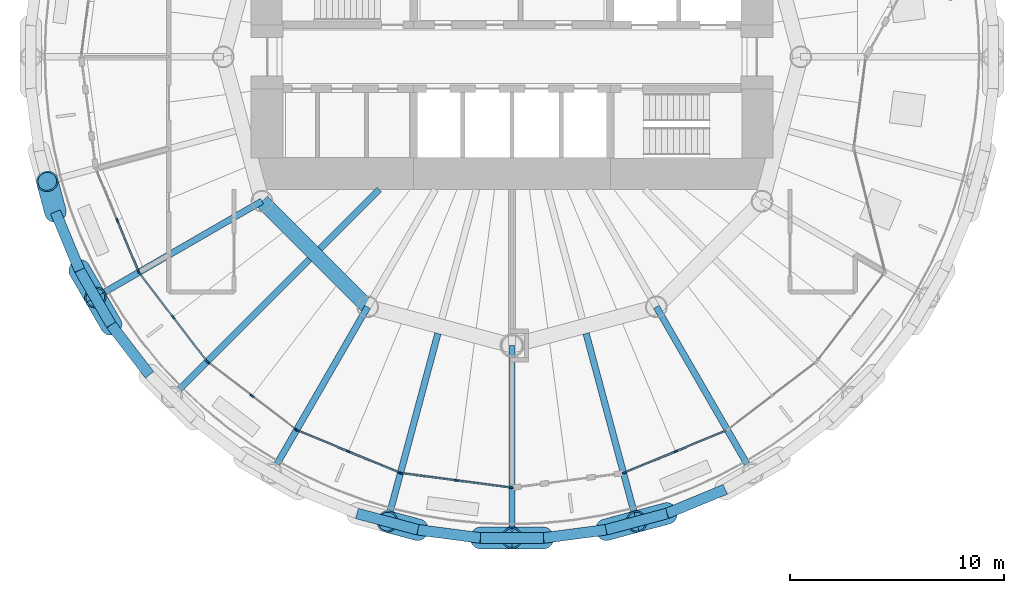
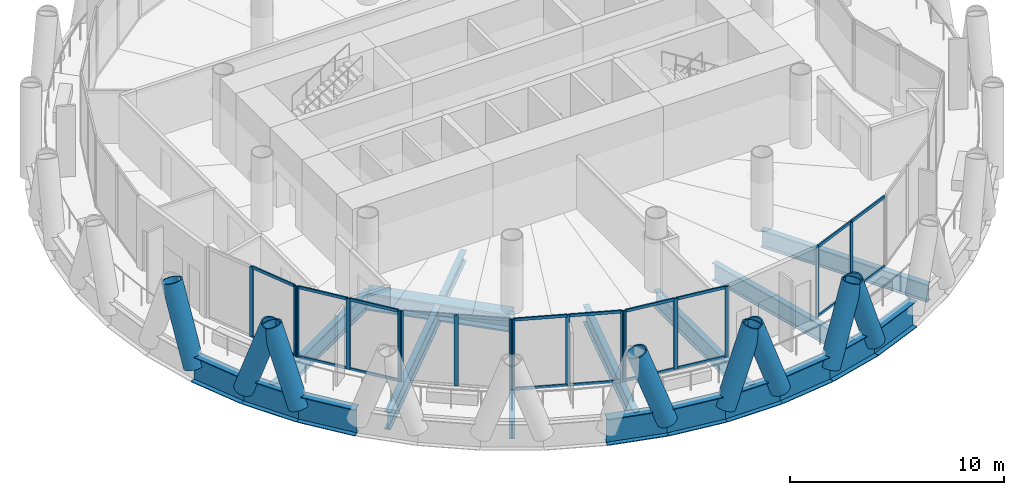
# One storey, part 2 of 13: 42 members, 18 beams, 6 elements without a shape of their own.
"""IFC4 building model written with IfcOpenShell, lengths in metres."""

from ifc_helpers import new_model, si_unit, direction, frame, origin, origin_2d, place, context, subcontext, project, spatial, rectangle, hollow_circle, i_section, extrude, material, material_profile, profile_set, type_object, element, aggregate, save


model = new_model("IFC4")

# Units and contexts
model_context = context("Model", 3, precision=1e-05, world=origin(), true_north=direction((0.0, 1.0)))
body_context = subcontext(model_context, "Body", "Model", "MODEL_VIEW")
ifc_project = project(units=[si_unit("LENGTHUNIT", "METRE"), si_unit("AREAUNIT", "SQUARE_METRE"), si_unit("VOLUMEUNIT", "CUBIC_METRE"), si_unit("PLANEANGLEUNIT", "RADIAN"), si_unit("MASSUNIT", "GRAM", prefix="KILO")], contexts=[model_context])

# Site, building, storey
site_placement = place(None, origin())
site = spatial("IfcSite", under=ifc_project, at=site_placement, CompositionType="ELEMENT")
building_placement = place(site_placement, origin())
building = spatial("IfcBuilding", under=site, at=building_placement, Name="Qaws Media Tower", CompositionType="ELEMENT")
storey_placement = place(building_placement, frame((0.0, 0.0, 223.39990234375)))
storey = spatial("IfcBuildingStorey", under=building, at=storey_placement, Name="L51", CompositionType="ELEMENT", Elevation=223.39990234375)

# Curtain wall, members
ifc_material_1 = material(Name="Aluminium and clear glass", Category="aluminium")
curtain_wall_type = type_object("IfcCurtainWallType", Name="Unitised curtain wall CW-C", PredefinedType="NOTDEFINED", material=ifc_material_1)
curtain_wall_1_placement = place(storey_placement, origin())
curtain_wall_1 = element("IfcCurtainWall", 1, at=curtain_wall_1_placement, inside=storey, type_object=curtain_wall_type, Name="CWC curtain wall L51-14", PredefinedType="NOTDEFINED")
ifc_material_2 = material(Name="Aluminium mullion", Category="aluminium")
ifc_material_profile_1 = material_profile(ifc_material_2, rectangle(XDim=0.080078125, YDim=0.199951171875, at=origin_2d()), Name="80x200")
ifc_profile_set_1 = profile_set([ifc_material_profile_1], Name="Aluminium mullion")
member_type_1 = type_object("IfcMemberType", Name="Curtain wall mullion 80x200", PredefinedType="MULLION", material=ifc_profile_set_1)
member_1_placement = place(storey_placement, frame((41.543212890625, 42.35498046875, 0.0), z_axis=(0.0, 0.0, 1.0), x_axis=(0.92387956031, 0.382683365254, 0.0)))
member_1 = element("IfcMember", 2, at=member_1_placement, type_object=member_type_1, Name="CWC mullion 2", PredefinedType="MULLION", context=body_context, shape_type="SweptSolid", body=[
    extrude(rectangle(XDim=0.080078125, YDim=0.199951171875, at=origin_2d()), origin(), (0.0, 0.0, 1.0), 4.0400390625),
])
member_2_placement = place(storey_placement, frame((42.5341796875, 39.9619140625, 0.0), z_axis=(0.0, 0.0, 1.0), x_axis=(0.92387956031, 0.382683365254, 0.0)))
member_2 = element("IfcMember", 3, at=member_2_placement, type_object=member_type_1, Name="CWC mullion 3", PredefinedType="MULLION", context=body_context, shape_type="SweptSolid", body=[
    extrude(rectangle(XDim=0.080078125, YDim=0.199951171875, at=origin_2d()), origin(), (0.0, 0.0, 1.0), 4.0400390625),
])

curtain_wall_2_placement = place(storey_placement, origin())
curtain_wall_2 = element("IfcCurtainWall", 4, at=curtain_wall_2_placement, inside=storey, type_object=curtain_wall_type, Name="CWC curtain wall L51-15", PredefinedType="NOTDEFINED")
member_3_placement = place(storey_placement, frame((42.573974609375, 39.893310546875, 0.0), z_axis=(0.0, 0.0, 1.0), x_axis=(0.793353388114, 0.608761366685, 0.0)))
member_3 = element("IfcMember", 5, at=member_3_placement, type_object=member_type_1, Name="CWC mullion 1", PredefinedType="MULLION", context=body_context, shape_type="SweptSolid", body=[
    extrude(rectangle(XDim=0.080078125, YDim=0.199951171875, at=origin_2d()), origin(), (0.0, 0.0, 1.0), 4.0400390625),
])
member_4_placement = place(storey_placement, frame((44.150634765625, 37.83837890625, 0.0), z_axis=(0.0, 0.0, 1.0), x_axis=(0.793353388114, 0.608761366685, 0.0)))
member_4 = element("IfcMember", 6, at=member_4_placement, type_object=member_type_1, Name="CWC mullion 2", PredefinedType="MULLION", context=body_context, shape_type="SweptSolid", body=[
    extrude(rectangle(XDim=0.080078125, YDim=0.199951171875, at=origin_2d()), origin(), (0.0, 0.0, 1.0), 4.0400390625),
])
member_5_placement = place(storey_placement, frame((45.7275390625, 35.783447265625, 0.0), z_axis=(0.0, 0.0, 1.0), x_axis=(0.793353388114, 0.608761366685, 0.0)))
member_5 = element("IfcMember", 7, at=member_5_placement, type_object=member_type_1, Name="CWC mullion 3", PredefinedType="MULLION", context=body_context, shape_type="SweptSolid", body=[
    extrude(rectangle(XDim=0.080078125, YDim=0.199951171875, at=origin_2d()), origin(), (0.0, 0.0, 1.0), 4.0400390625),
])

curtain_wall_3_placement = place(storey_placement, origin())
curtain_wall_3 = element("IfcCurtainWall", 8, at=curtain_wall_3_placement, inside=storey, type_object=curtain_wall_type, Name="CWC curtain wall L51-16", PredefinedType="NOTDEFINED")
member_6_placement = place(storey_placement, frame((45.783447265625, 35.7275390625, 0.0), z_axis=(0.0, 0.0, 1.0), x_axis=(0.608761366685, 0.793353388114, 0.0)))
member_6 = element("IfcMember", 9, at=member_6_placement, type_object=member_type_1, Name="CWC mullion 1", PredefinedType="MULLION", context=body_context, shape_type="SweptSolid", body=[
    extrude(rectangle(XDim=0.080078125, YDim=0.199951171875, at=origin_2d()), origin(), (0.0, 0.0, 1.0), 4.0400390625),
])
member_7_placement = place(storey_placement, frame((47.83837890625, 34.150634765625, 0.0), z_axis=(0.0, 0.0, 1.0), x_axis=(0.608761366685, 0.793353388114, 0.0)))
member_7 = element("IfcMember", 10, at=member_7_placement, type_object=member_type_1, Name="CWC mullion 2", PredefinedType="MULLION", context=body_context, shape_type="SweptSolid", body=[
    extrude(rectangle(XDim=0.080078125, YDim=0.199951171875, at=origin_2d()), origin(), (0.0, 0.0, 1.0), 4.0400390625),
])
member_8_placement = place(storey_placement, frame((49.893310546875, 32.573974609375, 0.0), z_axis=(0.0, 0.0, 1.0), x_axis=(0.608761366685, 0.793353388114, 0.0)))
member_8 = element("IfcMember", 11, at=member_8_placement, type_object=member_type_1, Name="CWC mullion 3", PredefinedType="MULLION", context=body_context, shape_type="SweptSolid", body=[
    extrude(rectangle(XDim=0.080078125, YDim=0.199951171875, at=origin_2d()), origin(), (0.0, 0.0, 1.0), 4.0400390625),
])
aggregate(curtain_wall_3, [member_6, member_7, member_8])

curtain_wall_4_placement = place(storey_placement, origin())
curtain_wall_4 = element("IfcCurtainWall", 12, at=curtain_wall_4_placement, inside=storey, type_object=curtain_wall_type, Name="CWC curtain wall L51-17", PredefinedType="NOTDEFINED")
member_9_placement = place(storey_placement, frame((49.9619140625, 32.5341796875, 0.0), z_axis=(0.0, 0.0, 1.0), x_axis=(0.382683365254, 0.92387956031, 0.0)))
member_9 = element("IfcMember", 13, at=member_9_placement, type_object=member_type_1, Name="CWC mullion 1", PredefinedType="MULLION", context=body_context, shape_type="SweptSolid", body=[
    extrude(rectangle(XDim=0.080078125, YDim=0.199951171875, at=origin_2d()), origin(), (0.0, 0.0, 1.0), 4.0400390625),
])
member_10_placement = place(storey_placement, frame((52.35498046875, 31.543212890625, 0.0), z_axis=(0.0, 0.0, 1.0), x_axis=(0.382683365254, 0.92387956031, 0.0)))
member_10 = element("IfcMember", 14, at=member_10_placement, type_object=member_type_1, Name="CWC mullion 2", PredefinedType="MULLION", context=body_context, shape_type="SweptSolid", body=[
    extrude(rectangle(XDim=0.080078125, YDim=0.199951171875, at=origin_2d()), origin(), (0.0, 0.0, 1.0), 4.0400390625),
])
member_11_placement = place(storey_placement, frame((54.747802734375, 30.552001953125, 0.0), z_axis=(0.0, 0.0, 1.0), x_axis=(0.382683365254, 0.92387956031, 0.0)))
member_11 = element("IfcMember", 15, at=member_11_placement, type_object=member_type_1, Name="CWC mullion 3", PredefinedType="MULLION", context=body_context, shape_type="SweptSolid", body=[
    extrude(rectangle(XDim=0.080078125, YDim=0.199951171875, at=origin_2d()), origin(), (0.0, 0.0, 1.0), 4.0400390625),
])

curtain_wall_5_placement = place(storey_placement, origin())
curtain_wall_5 = element("IfcCurtainWall", 16, at=curtain_wall_5_placement, inside=storey, type_object=curtain_wall_type, Name="CWC curtain wall L51-18", PredefinedType="NOTDEFINED")
member_12_placement = place(storey_placement, frame((54.824462890625, 30.531494140625, 0.0), z_axis=(0.0, 0.0, 1.0), x_axis=(0.130526260986, 0.991444852321, 0.0)))
member_12 = element("IfcMember", 17, at=member_12_placement, type_object=member_type_1, Name="CWC mullion 1", PredefinedType="MULLION", context=body_context, shape_type="SweptSolid", body=[
    extrude(rectangle(XDim=0.080078125, YDim=0.199951171875, at=origin_2d()), origin(), (0.0, 0.0, 1.0), 4.0400390625),
])
member_13_placement = place(storey_placement, frame((57.392333984375, 30.193359375, 0.0), z_axis=(0.0, 0.0, 1.0), x_axis=(0.130526260986, 0.991444852321, 0.0)))
member_13 = element("IfcMember", 18, at=member_13_placement, type_object=member_type_1, Name="CWC mullion 2", PredefinedType="MULLION", context=body_context, shape_type="SweptSolid", body=[
    extrude(rectangle(XDim=0.080078125, YDim=0.199951171875, at=origin_2d()), origin(), (0.0, 0.0, 1.0), 4.0400390625),
])
member_14_placement = place(storey_placement, frame((59.96044921875, 29.855224609375, 0.0), z_axis=(0.0, 0.0, 1.0), x_axis=(0.130526260986, 0.991444852321, 0.0)))
member_14 = element("IfcMember", 19, at=member_14_placement, type_object=member_type_1, Name="CWC mullion 3", PredefinedType="MULLION", context=body_context, shape_type="SweptSolid", body=[
    extrude(rectangle(XDim=0.080078125, YDim=0.199951171875, at=origin_2d()), origin(), (0.0, 0.0, 1.0), 4.0400390625),
])

curtain_wall_6_placement = place(storey_placement, origin())
curtain_wall_6 = element("IfcCurtainWall", 20, at=curtain_wall_6_placement, inside=storey, type_object=curtain_wall_type, Name="CWC curtain wall L51-20", PredefinedType="NOTDEFINED")
member_15_placement = place(storey_placement, frame((65.252197265625, 30.552001953125, 0.0), z_axis=(0.0, 0.0, 1.0), x_axis=(-0.382683365254, 0.92387956031, 0.0)))
member_15 = element("IfcMember", 21, at=member_15_placement, type_object=member_type_1, Name="CWC mullion 1", PredefinedType="MULLION", context=body_context, shape_type="SweptSolid", body=[
    extrude(rectangle(XDim=0.080078125, YDim=0.199951171875, at=origin_2d()), origin(), (0.0, 0.0, 1.0), 4.0400390625),
])
member_16_placement = place(storey_placement, frame((67.64501953125, 31.543212890625, 0.0), z_axis=(0.0, 0.0, 1.0), x_axis=(-0.382683365254, 0.92387956031, 0.0)))
member_16 = element("IfcMember", 22, at=member_16_placement, type_object=member_type_1, Name="CWC mullion 2", PredefinedType="MULLION", context=body_context, shape_type="SweptSolid", body=[
    extrude(rectangle(XDim=0.080078125, YDim=0.199951171875, at=origin_2d()), origin(), (0.0, 0.0, 1.0), 4.0400390625),
])

# Member
ifc_material_3 = material(Name="Aluminium transom", Category="aluminium")
ifc_material_profile_2 = material_profile(ifc_material_3, rectangle(XDim=0.080078125, YDim=0.159912109375, at=origin_2d()), Name="80x160")
ifc_profile_set_2 = profile_set([ifc_material_profile_2], Name="Aluminium transom")
member_type_2 = type_object("IfcMemberType", Name="Curtain wall transom 80x160", PredefinedType="USERDEFINED", material=ifc_profile_set_2)
member_17_placement = place(storey_placement, frame((41.558349609375, 42.31787109375, 0.0400390625), z_axis=(0.382749815673, -0.92385203285, 0.0), x_axis=(0.92385203285, 0.382749815673, 0.0)))
member_17 = element("IfcMember", 23, at=member_17_placement, type_object=member_type_2, Name="CWC transom 2.1", ObjectType="TRANSOM", PredefinedType="USERDEFINED", context=body_context, shape_type="SweptSolid", body=[
    extrude(rectangle(XDim=0.080078125, YDim=0.159912109375, at=origin_2d()), origin(), (0.0, 0.0, 1.0), 2.510009765625),
])

member_18_placement = place(storey_placement, frame((41.558349609375, 42.31787109375, 4.0), z_axis=(0.382749815673, -0.92385203285, 0.0), x_axis=(0.92385203285, 0.382749815673, 0.0)))
member_18 = element("IfcMember", 24, at=member_18_placement, type_object=member_type_2, Name="CWC transom 2.2", ObjectType="TRANSOM", PredefinedType="USERDEFINED", context=body_context, shape_type="SweptSolid", body=[
    extrude(rectangle(XDim=0.080078125, YDim=0.159912109375, at=origin_2d()), origin(), (0.0, 0.0, 1.0), 2.510009765625),
])

aggregate(curtain_wall_1, [member_1, member_2, member_17, member_18])

member_19_placement = place(storey_placement, frame((42.598388671875, 39.861572265625, 0.0400390625), z_axis=(0.608694926571, -0.793404364979, 0.0), x_axis=(0.793404364979, 0.608694926571, 0.0)))
member_19 = element("IfcMember", 25, at=member_19_placement, type_object=member_type_2, Name="CWC transom 1.1", ObjectType="TRANSOM", PredefinedType="USERDEFINED", context=body_context, shape_type="SweptSolid", body=[
    extrude(rectangle(XDim=0.080078125, YDim=0.159912109375, at=origin_2d()), origin(), (0.0, 0.0, 1.0), 2.510009765625),
])

member_20_placement = place(storey_placement, frame((42.598388671875, 39.861572265625, 4.0), z_axis=(0.608694926571, -0.793404364979, 0.0), x_axis=(0.793404364979, 0.608694926571, 0.0)))
member_20 = element("IfcMember", 26, at=member_20_placement, type_object=member_type_2, Name="CWC transom 1.2", ObjectType="TRANSOM", PredefinedType="USERDEFINED", context=body_context, shape_type="SweptSolid", body=[
    extrude(rectangle(XDim=0.080078125, YDim=0.159912109375, at=origin_2d()), origin(), (0.0, 0.0, 1.0), 2.510009765625),
])

member_21_placement = place(storey_placement, frame((44.175048828125, 37.806640625, 0.0400390625), z_axis=(0.608756149587, -0.793357391306, 0.0), x_axis=(0.793357391306, 0.608756149587, 0.0)))
member_21 = element("IfcMember", 27, at=member_21_placement, type_object=member_type_2, Name="CWC transom 2.1", ObjectType="TRANSOM", PredefinedType="USERDEFINED", context=body_context, shape_type="SweptSolid", body=[
    extrude(rectangle(XDim=0.080078125, YDim=0.159912109375, at=origin_2d()), origin(), (0.0, 0.0, 1.0), 2.51025390625),
])

member_22_placement = place(storey_placement, frame((44.175048828125, 37.806640625, 4.0), z_axis=(0.608756149587, -0.793357391306, 0.0), x_axis=(0.793357391306, 0.608756149587, 0.0)))
member_22 = element("IfcMember", 28, at=member_22_placement, type_object=member_type_2, Name="CWC transom 2.2", ObjectType="TRANSOM", PredefinedType="USERDEFINED", context=body_context, shape_type="SweptSolid", body=[
    extrude(rectangle(XDim=0.080078125, YDim=0.159912109375, at=origin_2d()), origin(), (0.0, 0.0, 1.0), 2.51025390625),
])

aggregate(curtain_wall_2, [member_3, member_4, member_5, member_19, member_20, member_21, member_22])

member_23_placement = place(storey_placement, frame((49.9990234375, 32.51904296875, 0.0400390625), z_axis=(0.92385203285, -0.382749815673, 0.0), x_axis=(0.382749815673, 0.92385203285, 0.0)))
member_23 = element("IfcMember", 29, at=member_23_placement, type_object=member_type_2, Name="CWC transom 1.1", ObjectType="TRANSOM", PredefinedType="USERDEFINED", context=body_context, shape_type="SweptSolid", body=[
    extrude(rectangle(XDim=0.080078125, YDim=0.159912109375, at=origin_2d()), origin(), (0.0, 0.0, 1.0), 2.510009765625),
])

member_24_placement = place(storey_placement, frame((49.9990234375, 32.51904296875, 4.0), z_axis=(0.92385203285, -0.382749815673, 0.0), x_axis=(0.382749815673, 0.92385203285, 0.0)))
member_24 = element("IfcMember", 30, at=member_24_placement, type_object=member_type_2, Name="CWC transom 1.2", ObjectType="TRANSOM", PredefinedType="USERDEFINED", context=body_context, shape_type="SweptSolid", body=[
    extrude(rectangle(XDim=0.080078125, YDim=0.159912109375, at=origin_2d()), origin(), (0.0, 0.0, 1.0), 2.510009765625),
])

member_25_placement = place(storey_placement, frame((52.391845703125, 31.52783203125, 0.0400390625), z_axis=(0.92386628045, -0.382715424105, 0.0), x_axis=(0.382715424105, 0.92386628045, 0.0)))
member_25 = element("IfcMember", 31, at=member_25_placement, type_object=member_type_2, Name="CWC transom 2.1", ObjectType="TRANSOM", PredefinedType="USERDEFINED", context=body_context, shape_type="SweptSolid", body=[
    extrude(rectangle(XDim=0.080078125, YDim=0.159912109375, at=origin_2d()), origin(), (0.0, 0.0, 1.0), 2.51025390625),
])

member_26_placement = place(storey_placement, frame((52.391845703125, 31.52783203125, 4.0), z_axis=(0.92386628045, -0.382715424105, 0.0), x_axis=(0.382715424105, 0.92386628045, 0.0)))
member_26 = element("IfcMember", 32, at=member_26_placement, type_object=member_type_2, Name="CWC transom 2.2", ObjectType="TRANSOM", PredefinedType="USERDEFINED", context=body_context, shape_type="SweptSolid", body=[
    extrude(rectangle(XDim=0.080078125, YDim=0.159912109375, at=origin_2d()), origin(), (0.0, 0.0, 1.0), 2.51025390625),
])

aggregate(curtain_wall_4, [member_9, member_10, member_11, member_23, member_24, member_25, member_26])

member_27_placement = place(storey_placement, frame((54.864013671875, 30.526123046875, 0.0400390625), z_axis=(0.991445686503, -0.130519924592, 0.0), x_axis=(0.130519924592, 0.991445686503, 0.0)))
member_27 = element("IfcMember", 33, at=member_27_placement, type_object=member_type_2, Name="CWC transom 1.1", ObjectType="TRANSOM", PredefinedType="USERDEFINED", context=body_context, shape_type="SweptSolid", body=[
    extrude(rectangle(XDim=0.080078125, YDim=0.159912109375, at=origin_2d()), origin(), (0.0, 0.0, 1.0), 2.51025390625),
])

member_28_placement = place(storey_placement, frame((54.864013671875, 30.526123046875, 4.0), z_axis=(0.991445686503, -0.130519924592, 0.0), x_axis=(0.130519924592, 0.991445686503, 0.0)))
member_28 = element("IfcMember", 34, at=member_28_placement, type_object=member_type_2, Name="CWC transom 1.2", ObjectType="TRANSOM", PredefinedType="USERDEFINED", context=body_context, shape_type="SweptSolid", body=[
    extrude(rectangle(XDim=0.080078125, YDim=0.159912109375, at=origin_2d()), origin(), (0.0, 0.0, 1.0), 2.51025390625),
])

member_29_placement = place(storey_placement, frame((57.43212890625, 30.18798828125, 0.0400390625), z_axis=(0.991444029433, -0.130532511282, 0.0), x_axis=(0.130532511282, 0.991444029433, 0.0)))
member_29 = element("IfcMember", 35, at=member_29_placement, type_object=member_type_2, Name="CWC transom 2.1", ObjectType="TRANSOM", PredefinedType="USERDEFINED", context=body_context, shape_type="SweptSolid", body=[
    extrude(rectangle(XDim=0.080078125, YDim=0.159912109375, at=origin_2d()), origin(), (0.0, 0.0, 1.0), 2.510009765625),
])

member_30_placement = place(storey_placement, frame((57.43212890625, 30.18798828125, 4.0), z_axis=(0.991444029433, -0.130532511282, 0.0), x_axis=(0.130532511282, 0.991444029433, 0.0)))
member_30 = element("IfcMember", 36, at=member_30_placement, type_object=member_type_2, Name="CWC transom 2.2", ObjectType="TRANSOM", PredefinedType="USERDEFINED", context=body_context, shape_type="SweptSolid", body=[
    extrude(rectangle(XDim=0.080078125, YDim=0.159912109375, at=origin_2d()), origin(), (0.0, 0.0, 1.0), 2.510009765625),
])

aggregate(curtain_wall_5, [member_12, member_13, member_14, member_27, member_28, member_29, member_30])

member_31_placement = place(storey_placement, frame((65.2890625, 30.567138671875, 0.0400390625), z_axis=(0.92386628045, 0.382715424105, 0.0), x_axis=(-0.382715424105, 0.92386628045, 0.0)))
member_31 = element("IfcMember", 37, at=member_31_placement, type_object=member_type_2, Name="CWC transom 1.1", ObjectType="TRANSOM", PredefinedType="USERDEFINED", context=body_context, shape_type="SweptSolid", body=[
    extrude(rectangle(XDim=0.080078125, YDim=0.159912109375, at=origin_2d()), origin(), (0.0, 0.0, 1.0), 2.51025390625),
])

member_32_placement = place(storey_placement, frame((65.2890625, 30.567138671875, 4.0), z_axis=(0.92386628045, 0.382715424105, 0.0), x_axis=(-0.382715424105, 0.92386628045, 0.0)))
member_32 = element("IfcMember", 38, at=member_32_placement, type_object=member_type_2, Name="CWC transom 1.2", ObjectType="TRANSOM", PredefinedType="USERDEFINED", context=body_context, shape_type="SweptSolid", body=[
    extrude(rectangle(XDim=0.080078125, YDim=0.159912109375, at=origin_2d()), origin(), (0.0, 0.0, 1.0), 2.51025390625),
])

member_33_placement = place(storey_placement, frame((67.68212890625, 31.558349609375, 0.0400390625), z_axis=(0.92385203285, 0.382749815673, 0.0), x_axis=(-0.382749815673, 0.92385203285, 0.0)))
member_33 = element("IfcMember", 39, at=member_33_placement, type_object=member_type_2, Name="CWC transom 2.1", ObjectType="TRANSOM", PredefinedType="USERDEFINED", context=body_context, shape_type="SweptSolid", body=[
    extrude(rectangle(XDim=0.080078125, YDim=0.159912109375, at=origin_2d()), origin(), (0.0, 0.0, 1.0), 2.510009765625),
])

member_34_placement = place(storey_placement, frame((67.68212890625, 31.558349609375, 4.0), z_axis=(0.92385203285, 0.382749815673, 0.0), x_axis=(-0.382749815673, 0.92385203285, 0.0)))
member_34 = element("IfcMember", 40, at=member_34_placement, type_object=member_type_2, Name="CWC transom 2.2", ObjectType="TRANSOM", PredefinedType="USERDEFINED", context=body_context, shape_type="SweptSolid", body=[
    extrude(rectangle(XDim=0.080078125, YDim=0.159912109375, at=origin_2d()), origin(), (0.0, 0.0, 1.0), 2.510009765625),
])

aggregate(curtain_wall_6, [member_15, member_16, member_31, member_32, member_33, member_34])

# Members
ifc_material_4 = material(Name="Steel S460", Category="steel")
ifc_material_profile_3 = material_profile(ifc_material_4, hollow_circle(Radius=0.508056640625, WallThickness=0.070068359375, at=origin_2d()), Name="CHS 1016x70")
ifc_profile_set_3 = profile_set([ifc_material_profile_3], Name="Steel S460")
member_type_3 = type_object("IfcMemberType", Name="Diagrid member CHS 1016x70", PredefinedType="USERDEFINED", material=ifc_profile_set_3)
for number, where, z_axis, x_axis, name in (
    (41, (39.775634765625, 40.0263671875, -0.909912109375), (0.165965415689, -0.286737340788, 0.943523809023), (0.865479173236, 0.500944907845, 0.0), "DG3 diagrid L51 A14"),
    (42, (38.646728515625, 42.75146484375, -0.909912109375), (-0.085395161557, 0.320135875408, 0.943515070181), (-0.966215704868, -0.257734769998, 0.0), "DG3 diagrid L51 B14"),
    (43, (41.250244140625, 37.471923828125, -0.909912109375), (-0.16530706885, 0.287120937435, 0.943522729072), (-0.866628964438, -0.498953142085, 0.0), "DG3 diagrid L51 B15"),
    (44, (58.525146484375, 27.498291015625, -0.909912109375), (0.331324993668, 0.000383922357, 0.943516614149), (-0.001158747774, 0.999999328652, 0.0), "DG3 diagrid L51 A18"),
    (45, (55.600830078125, 27.88330078125, -0.909912109375), (-0.319968624274, 0.086107428884, 0.943507069487), (-0.25986662575, -0.965644518869, 0.0), "DG3 diagrid L51 B18"),
    (46, (64.399169921875, 27.88330078125, -0.909912109375), (0.319968624274, 0.086107428884, 0.943507069487), (-0.25986662575, 0.965644518869, 0.0), "DG3 diagrid L51 A19"),
    (47, (61.474853515625, 27.498291015625, -0.909912109375), (-0.331324993668, 0.000383922357, 0.943516614149), (-0.001158747774, -0.999999328652, 0.0), "DG3 diagrid L51 B19"),
    (48, (67.24853515625, 28.646728515625, -0.909912109375), (-0.320135875408, -0.085395161557, 0.943515070181), (0.257734769998, -0.966215704868, 0.0), "DG3 diagrid L51 B20"),
):
    element("IfcMember", number, at=place(storey_placement, frame(where, z_axis=z_axis, x_axis=x_axis)), inside=storey, type_object=member_type_3, Name=name, ObjectType="DIAGRID", PredefinedType="USERDEFINED", context=body_context, shape_type="SweptSolid", body=[
        extrude(hollow_circle(Radius=0.508056640625, WallThickness=0.070068359375, at=origin_2d()), origin(), (0.0, 0.0, 1.0), 4.451416015625),
    ])

# Beams
ifc_material_5 = material(Name="Steel S460", Category="steel")
ifc_material_profile_4 = material_profile(ifc_material_5, i_section(OverallWidth=0.5, OverallDepth=1.5, WebThickness=0.02001953125, FlangeThickness=0.0400390625, at=origin_2d()), Name="PG 1500x500")
ifc_profile_set_4 = profile_set([ifc_material_profile_4], Name="Steel S460")
beam_type_1 = type_object("IfcBeamType", Name="Edge ring beam PG 1500x500", PredefinedType="BEAM", material=ifc_profile_set_4)
beam_1_placement = place(storey_placement, frame((38.646728515625, 42.75146484375, -0.909912109375), z_axis=(0.382722162146, -0.92386348916, 0.0), x_axis=(0.92386348916, 0.382722162146, 0.0)))
element("IfcBeam", 49, at=beam_1_placement, inside=storey, type_object=beam_type_1, Name="RB4 edge ring beam L51-27", PredefinedType="BEAM", context=body_context, shape_type="SweptSolid", body=[
    extrude(i_section(OverallWidth=0.5, OverallDepth=1.5, WebThickness=0.02001953125, FlangeThickness=0.0400390625, at=origin_2d()), origin(), (0.0, 0.0, 1.0), 2.94970703125),
])
beam_2_placement = place(storey_placement, frame((39.775634765625, 40.0263671875, -0.909912109375), z_axis=(0.499949350311, -0.866054644421, 0.0), x_axis=(0.866054644421, 0.499949350311, 0.0)))
element("IfcBeam", 50, at=beam_2_placement, inside=storey, type_object=beam_type_1, Name="RB4 edge ring beam L51-28", PredefinedType="BEAM", context=body_context, shape_type="SweptSolid", body=[
    extrude(i_section(OverallWidth=0.5, OverallDepth=1.5, WebThickness=0.02001953125, FlangeThickness=0.0400390625, at=origin_2d()), origin(), (0.0, 0.0, 1.0), 2.949462890625),
])
beam_3_placement = place(storey_placement, frame((41.250244140625, 37.471923828125, -0.909912109375), z_axis=(0.608770328015, -0.793346511764, 0.0), x_axis=(0.793346511764, 0.608770328015, 0.0)))
element("IfcBeam", 51, at=beam_3_placement, inside=storey, type_object=beam_type_1, Name="RB4 edge ring beam L51-29", PredefinedType="BEAM", context=body_context, shape_type="SweptSolid", body=[
    extrude(i_section(OverallWidth=0.5, OverallDepth=1.5, WebThickness=0.02001953125, FlangeThickness=0.0400390625, at=origin_2d()), origin(), (0.0, 0.0, 1.0), 2.94970703125),
])
beam_4_placement = place(storey_placement, frame((52.75146484375, 28.646728515625, -0.909912109375), z_axis=(0.965930688978, -0.258800896618, 0.0), x_axis=(0.258800896618, 0.965930688978, 0.0)))
element("IfcBeam", 52, at=beam_4_placement, inside=storey, type_object=beam_type_1, Name="RB4 edge ring beam L51-34", PredefinedType="BEAM", context=body_context, shape_type="SweptSolid", body=[
    extrude(i_section(OverallWidth=0.5, OverallDepth=1.5, WebThickness=0.02001953125, FlangeThickness=0.0400390625, at=origin_2d()), origin(), (0.0, 0.0, 1.0), 2.949951171875),
])
beam_5_placement = place(storey_placement, frame((55.600830078125, 27.88330078125, -0.909912109375), z_axis=(0.991444150288, -0.130531593338, 0.0), x_axis=(0.130531593338, 0.991444150288, 0.0)))
element("IfcBeam", 53, at=beam_5_placement, inside=storey, type_object=beam_type_1, Name="RB4 edge ring beam L51-35", PredefinedType="BEAM", context=body_context, shape_type="SweptSolid", body=[
    extrude(i_section(OverallWidth=0.5, OverallDepth=1.5, WebThickness=0.02001953125, FlangeThickness=0.0400390625, at=origin_2d()), origin(), (0.0, 0.0, 1.0), 2.949462890625),
])
beam_6_placement = place(storey_placement, frame((58.525146484375, 27.498291015625, -0.909912109375), z_axis=(1.0, 0.0, 0.0), x_axis=(0.0, 1.0, 0.0)))
element("IfcBeam", 54, at=beam_6_placement, inside=storey, type_object=beam_type_1, Name="RB4 edge ring beam L51-36", PredefinedType="BEAM", context=body_context, shape_type="SweptSolid", body=[
    extrude(i_section(OverallWidth=0.5, OverallDepth=1.5, WebThickness=0.02001953125, FlangeThickness=0.0400390625, at=origin_2d()), origin(), (0.0, 0.0, 1.0), 2.94970703125),
])
beam_7_placement = place(storey_placement, frame((61.474853515625, 27.498291015625, -0.909912109375), z_axis=(0.991444150288, 0.130531593338, 0.0), x_axis=(-0.130531593338, 0.991444150288, 0.0)))
element("IfcBeam", 55, at=beam_7_placement, inside=storey, type_object=beam_type_1, Name="RB4 edge ring beam L51-37", PredefinedType="BEAM", context=body_context, shape_type="SweptSolid", body=[
    extrude(i_section(OverallWidth=0.5, OverallDepth=1.5, WebThickness=0.02001953125, FlangeThickness=0.0400390625, at=origin_2d()), origin(), (0.0, 0.0, 1.0), 2.949462890625),
])
beam_8_placement = place(storey_placement, frame((64.399169921875, 27.88330078125, -0.909912109375), z_axis=(0.965930688978, 0.258800896618, 0.0), x_axis=(-0.258800896618, 0.965930688978, 0.0)))
element("IfcBeam", 56, at=beam_8_placement, inside=storey, type_object=beam_type_1, Name="RB4 edge ring beam L51-38", PredefinedType="BEAM", context=body_context, shape_type="SweptSolid", body=[
    extrude(i_section(OverallWidth=0.5, OverallDepth=1.5, WebThickness=0.02001953125, FlangeThickness=0.0400390625, at=origin_2d()), origin(), (0.0, 0.0, 1.0), 2.949951171875),
])
beam_9_placement = place(storey_placement, frame((67.24853515625, 28.646728515625, -0.909912109375), z_axis=(0.92386348916, 0.382722162146, 0.0), x_axis=(-0.382722162146, 0.92386348916, 0.0)))
element("IfcBeam", 57, at=beam_9_placement, inside=storey, type_object=beam_type_1, Name="RB4 edge ring beam L51-39", PredefinedType="BEAM", context=body_context, shape_type="SweptSolid", body=[
    extrude(i_section(OverallWidth=0.5, OverallDepth=1.5, WebThickness=0.02001953125, FlangeThickness=0.0400390625, at=origin_2d()), origin(), (0.0, 0.0, 1.0), 2.94970703125),
])
ifc_material_6 = material(Name="Steel S460", Category="steel")
ifc_material_profile_5 = material_profile(ifc_material_6, i_section(OverallWidth=0.699951171875, OverallDepth=1.0, WebThickness=0.034912109375, FlangeThickness=0.090087890625, at=origin_2d()), Name="PG 1000x700")
ifc_profile_set_5 = profile_set([ifc_material_profile_5], Name="Steel S460")
beam_type_2 = type_object("IfcBeamType", Name="Inner ring girder PG 1000x700", PredefinedType="BEAM", material=ifc_profile_set_5)
beam_10_placement = place(storey_placement, frame((48.30859375, 43.25, -0.659912109375), z_axis=(0.707106781187, -0.707106781187, 0.0), x_axis=(0.707106781187, 0.707106781187, 0.0)))
element("IfcBeam", 58, at=beam_10_placement, inside=storey, type_object=beam_type_2, Name="B3 inner ring beam L51 I08-I09", PredefinedType="BEAM", context=body_context, shape_type="SweptSolid", body=[
    extrude(i_section(OverallWidth=0.699951171875, OverallDepth=1.0, WebThickness=0.034912109375, FlangeThickness=0.090087890625, at=origin_2d()), origin(), (0.0, 0.0, 1.0), 6.98828125),
])
ifc_material_7 = material(Name="Steel S355", Category="steel")
ifc_material_profile_6 = material_profile(ifc_material_7, i_section(OverallWidth=0.302001953125, OverallDepth=1.008056640625, WebThickness=0.02099609375, FlangeThickness=0.0400390625, FilletRadius=0.030029296875, at=origin_2d()), Name="HE 1000 M")
ifc_profile_set_6 = profile_set([ifc_material_profile_6], Name="Steel S355")
beam_type_3 = type_object("IfcBeamType", Name="Radial beam HE 1000 M", PredefinedType="BEAM", material=ifc_profile_set_6)
beam_11_placement = place(storey_placement, frame((48.30859375, 43.25, -0.663818359375), z_axis=(-0.866018021963, -0.500012785472, 0.0), x_axis=(0.500012785472, -0.866018021963, 0.0)))
element("IfcBeam", 59, at=beam_11_placement, inside=storey, type_object=beam_type_3, Name="B1 radial beam L51 15", PredefinedType="BEAM", context=body_context, shape_type="SweptSolid", body=[
    extrude(i_section(OverallWidth=0.302001953125, OverallDepth=1.008056640625, WebThickness=0.02099609375, FlangeThickness=0.0400390625, FilletRadius=0.030029296875, at=origin_2d()), origin(), (0.0, 0.0, 1.0), 9.001708984375),
])
beam_12_placement = place(storey_placement, frame((50.53173828125, 40.53173828125, -0.663818359375), z_axis=(-0.707106781187, -0.707106781187, 0.0), x_axis=(0.707106781187, -0.707106781187, 0.0)))
element("IfcBeam", 60, at=beam_12_placement, inside=storey, type_object=beam_type_3, Name="B1 radial beam L51 16", PredefinedType="BEAM", context=body_context, shape_type="SweptSolid", body=[
    extrude(i_section(OverallWidth=0.302001953125, OverallDepth=1.008056640625, WebThickness=0.02099609375, FlangeThickness=0.0400390625, FilletRadius=0.030029296875, at=origin_2d()), origin(), (0.0, 0.0, 1.0), 9.111572265625),
])
beam_13_placement = place(storey_placement, frame((53.25, 38.30859375, -0.663818359375), z_axis=(-0.500012785472, -0.866018021963, 0.0), x_axis=(0.866018021963, -0.500012785472, 0.0)))
element("IfcBeam", 61, at=beam_13_placement, inside=storey, type_object=beam_type_3, Name="B1 radial beam L51 17", PredefinedType="BEAM", context=body_context, shape_type="SweptSolid", body=[
    extrude(i_section(OverallWidth=0.302001953125, OverallDepth=1.008056640625, WebThickness=0.02099609375, FlangeThickness=0.0400390625, FilletRadius=0.030029296875, at=origin_2d()), origin(), (0.0, 0.0, 1.0), 9.001708984375),
])
beam_14_placement = place(storey_placement, frame((56.534423828125, 37.066162109375, -0.663818359375), z_axis=(-0.258829835029, -0.965922935072, 0.0), x_axis=(0.965922935072, -0.258829835029, 0.0)))
element("IfcBeam", 62, at=beam_14_placement, inside=storey, type_object=beam_type_3, Name="B1 radial beam L51 18", PredefinedType="BEAM", context=body_context, shape_type="SweptSolid", body=[
    extrude(i_section(OverallWidth=0.302001953125, OverallDepth=1.008056640625, WebThickness=0.02099609375, FlangeThickness=0.0400390625, FilletRadius=0.030029296875, at=origin_2d()), origin(), (0.0, 0.0, 1.0), 9.11181640625),
])
beam_15_placement = place(storey_placement, frame((60.0, 36.5, -0.663818359375), z_axis=(0.0, -1.0, 0.0), x_axis=(1.0, 0.0, 0.0)))
element("IfcBeam", 63, at=beam_15_placement, inside=storey, type_object=beam_type_3, Name="B1 radial beam L51 19", PredefinedType="BEAM", context=body_context, shape_type="SweptSolid", body=[
    extrude(i_section(OverallWidth=0.302001953125, OverallDepth=1.008056640625, WebThickness=0.02099609375, FlangeThickness=0.0400390625, FilletRadius=0.030029296875, at=origin_2d()), origin(), (0.0, 0.0, 1.0), 9.001708984375),
])
beam_16_placement = place(storey_placement, frame((63.465576171875, 37.066162109375, -0.663818359375), z_axis=(0.258829835029, -0.965922935072, 0.0), x_axis=(0.965922935072, 0.258829835029, 0.0)))
element("IfcBeam", 64, at=beam_16_placement, inside=storey, type_object=beam_type_3, Name="B1 radial beam L51 20", PredefinedType="BEAM", context=body_context, shape_type="SweptSolid", body=[
    extrude(i_section(OverallWidth=0.302001953125, OverallDepth=1.008056640625, WebThickness=0.02099609375, FlangeThickness=0.0400390625, FilletRadius=0.030029296875, at=origin_2d()), origin(), (0.0, 0.0, 1.0), 9.11181640625),
])
beam_17_placement = place(storey_placement, frame((66.75, 38.30859375, -0.663818359375), z_axis=(0.500012785472, -0.866018021963, 0.0), x_axis=(0.866018021963, 0.500012785472, 0.0)))
element("IfcBeam", 65, at=beam_17_placement, inside=storey, type_object=beam_type_3, Name="B1 radial beam L51 21", PredefinedType="BEAM", context=body_context, shape_type="SweptSolid", body=[
    extrude(i_section(OverallWidth=0.302001953125, OverallDepth=1.008056640625, WebThickness=0.02099609375, FlangeThickness=0.0400390625, FilletRadius=0.030029296875, at=origin_2d()), origin(), (0.0, 0.0, 1.0), 9.001708984375),
])
ifc_material_8 = material(Name="Steel S355", Category="steel")
ifc_material_profile_7 = material_profile(ifc_material_8, i_section(OverallWidth=0.304931640625, OverallDepth=0.6201171875, WebThickness=0.02099609375, FlangeThickness=0.0400390625, FilletRadius=0.027099609375, at=origin_2d()), Name="HE 600 M")
ifc_profile_set_7 = profile_set([ifc_material_profile_7], Name="Steel S355")
beam_type_4 = type_object("IfcBeamType", Name="Radial beam HE 600 M, core side", PredefinedType="BEAM", material=ifc_profile_set_7)
beam_18_placement = place(storey_placement, frame((53.800048828125, 43.800048828125, -0.469970703125), z_axis=(-0.707106781187, -0.707106781187, 0.0), x_axis=(0.707106781187, -0.707106781187, 0.0)))
element("IfcBeam", 66, at=beam_18_placement, inside=storey, type_object=beam_type_4, Name="B2 radial beam L51 16", PredefinedType="BEAM", context=body_context, shape_type="SweptSolid", body=[
    extrude(i_section(OverallWidth=0.304931640625, OverallDepth=0.6201171875, WebThickness=0.02099609375, FlangeThickness=0.0400390625, FilletRadius=0.027099609375, at=origin_2d()), origin(), (0.0, 0.0, 1.0), 3.921875),
])

save(model, "model.ifc")
